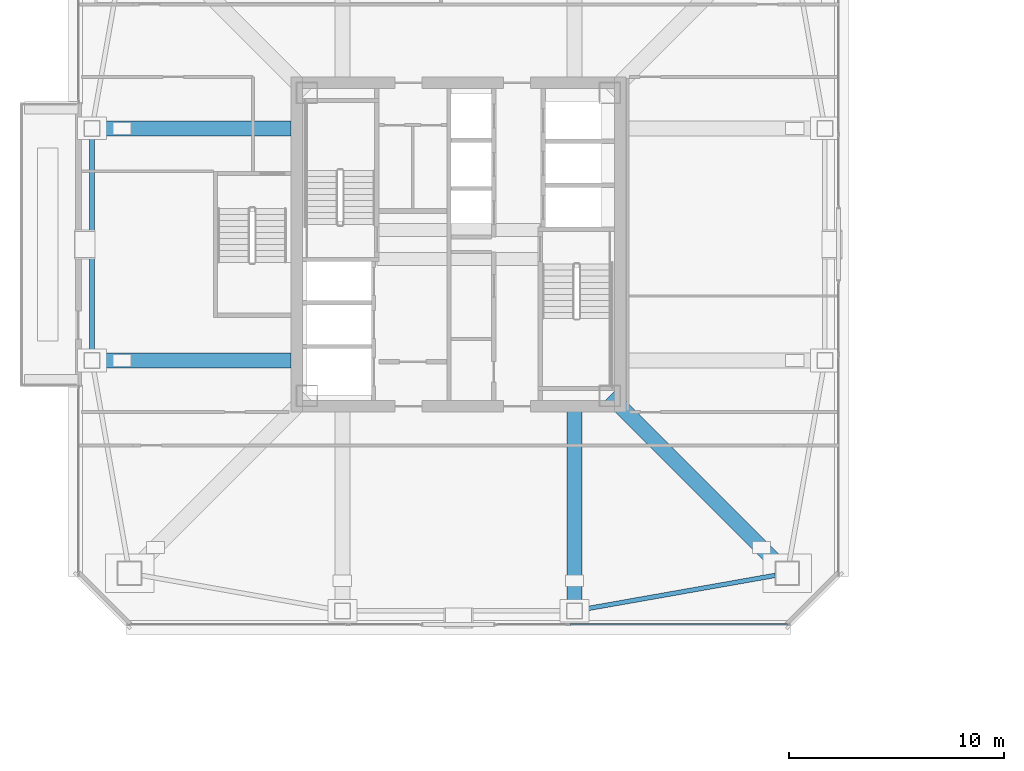
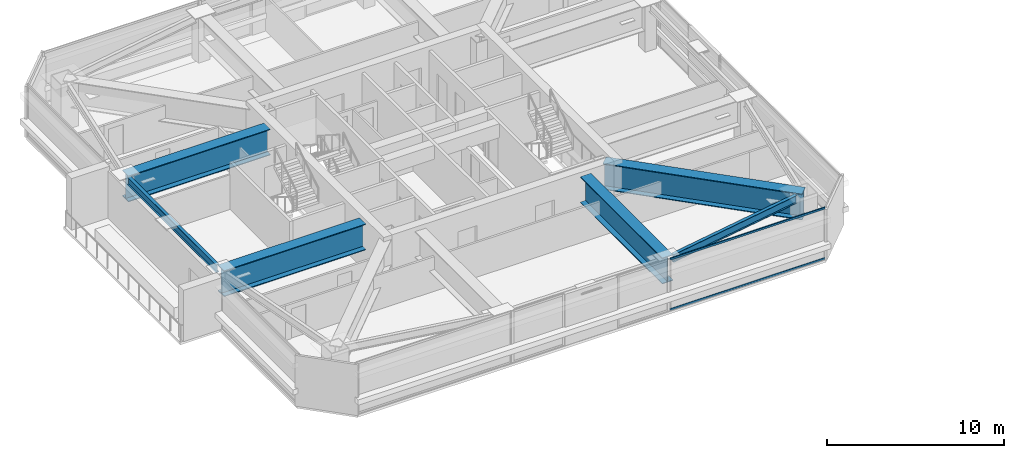
# One storey, part 6 of 42: 6 beams, 2 members, 1 element without a shape of its own.
"""IFC4 building model written with IfcOpenShell, lengths in metres."""

from ifc_helpers import new_model, si_unit, direction, frame, origin, origin_2d, place, context, subcontext, project, spatial, hollow_rectangle, i_section, extrude, material, material_profile, profile_set, type_object, element, aggregate, save


model = new_model("IFC4")

# Units and contexts
model_context = context("Model", 3, precision=1e-05, world=origin(), true_north=direction((0.0, 1.0)))
body_context = subcontext(model_context, "Body", "Model", "MODEL_VIEW")
ifc_project = project(units=[si_unit("LENGTHUNIT", "METRE"), si_unit("AREAUNIT", "SQUARE_METRE"), si_unit("VOLUMEUNIT", "CUBIC_METRE"), si_unit("PLANEANGLEUNIT", "RADIAN"), si_unit("MASSUNIT", "GRAM", prefix="KILO")], contexts=[model_context])

# Site, building, storey
site_placement = place(None, origin())
site = spatial("IfcSite", under=ifc_project, at=site_placement, CompositionType="ELEMENT")
building_placement = place(site_placement, origin())
building = spatial("IfcBuilding", under=site, at=building_placement, Name="Tashvorn Skyway Center", CompositionType="ELEMENT")
storey_placement = place(building_placement, frame((0.0, 0.0, 196.050048828125)))
storey = spatial("IfcBuildingStorey", under=building, at=storey_placement, Name="L53", CompositionType="ELEMENT", Elevation=196.050048828125)

# Beams
ifc_material_1 = material(Name="Steel ASTM A572 Grade 50", Category="steel")
ifc_material_profile_1 = material_profile(ifc_material_1, i_section(OverallWidth=0.699951171875, OverallDepth=1.800048828125, WebThickness=0.031982421875, FlangeThickness=0.050048828125, at=origin_2d()), Name="PG1800x700")
ifc_profile_set_1 = profile_set([ifc_material_profile_1], Name="Steel ASTM A572 Grade 50")
beam_type_1 = type_object("IfcBeamType", Name="BM-BEAM-PG1800x700", PredefinedType="BEAM", material=ifc_profile_set_1)
beam_1_placement = place(storey_placement, frame((57.300048828125, 16.699951171875, 2.349853515625), z_axis=(-0.707106781187, 0.707106781187, 0.0), x_axis=(-0.707106781187, -0.707106781187, 0.0)))
element("IfcBeam", 1, at=beam_1_placement, inside=storey, type_object=beam_type_1, Name="Tower 1 L53 Setback Transfer Girder MC-SE", PredefinedType="BEAM", context=body_context, shape_type="SweptSolid", body=[
    extrude(i_section(OverallWidth=0.699951171875, OverallDepth=1.800048828125, WebThickness=0.031982421875, FlangeThickness=0.050048828125, at=origin_2d()), origin(), (0.0, 0.0, 1.0), 11.667236328125),
])
for number, where, z_axis, x_axis, name in (
    (2, (47.39990234375, 14.949951171875, 2.349853515625), (0.0, 1.0, 0.0), (-1.0, 0.0, 0.0), "Tower 1 L53 Setback Transfer Girder FC-S2"),
    (3, (24.949951171875, 37.39990234375, 2.349853515625), (1.0, 0.0, 0.0), (0.0, 1.0, 0.0), "Tower 1 L53 Setback Transfer Girder FC-W1"),
    (4, (24.949951171875, 26.60009765625, 2.349853515625), (1.0, 0.0, 0.0), (0.0, 1.0, 0.0), "Tower 1 L53 Setback Transfer Girder FC-W2"),
):
    element("IfcBeam", number, at=place(storey_placement, frame(where, z_axis=z_axis, x_axis=x_axis)), inside=storey, type_object=beam_type_1, Name=name, PredefinedType="BEAM", context=body_context, shape_type="SweptSolid", body=[
        extrude(i_section(OverallWidth=0.699951171875, OverallDepth=1.800048828125, WebThickness=0.031982421875, FlangeThickness=0.050048828125, at=origin_2d()), origin(), (0.0, 0.0, 1.0), 9.27001953125),
    ])
ifc_material_2 = material(Name="Steel ASTM A992 Grade 50", Category="steel")
ifc_material_profile_2 = material_profile(ifc_material_2, i_section(OverallWidth=0.2109375, OverallDepth=0.5390625, WebThickness=0.01171875, FlangeThickness=0.018798828125, at=origin_2d()), Name="W21X73")
ifc_profile_set_2 = profile_set([ifc_material_profile_2], Name="Steel ASTM A992 Grade 50")
beam_type_2 = type_object("IfcBeamType", Name="BM-SPANDREL-W21X73", PredefinedType="SPANDREL", material=ifc_profile_set_2)
beam_2_placement = place(storey_placement, frame((47.764404296875, 15.014404296875, 2.98046875), z_axis=(0.984732545667, 0.174074160933, 0.0), x_axis=(-0.174074160933, 0.984732545667, 0.0)))
element("IfcBeam", 5, at=beam_2_placement, inside=storey, type_object=beam_type_2, Name="Tower 1 L53 Spandrel Beam 03", PredefinedType="SPANDREL", context=body_context, shape_type="SweptSolid", body=[
    extrude(i_section(OverallWidth=0.2109375, OverallDepth=0.5390625, WebThickness=0.01171875, FlangeThickness=0.018798828125, at=origin_2d()), origin(), (0.0, 0.0, 1.0), 9.113525390625),
])
beam_3_placement = place(storey_placement, frame((24.949951171875, 37.030029296875, 2.98046875), z_axis=(0.0, -1.0, 0.0), x_axis=(1.0, 0.0, 0.0)))
element("IfcBeam", 6, at=beam_3_placement, inside=storey, type_object=beam_type_2, Name="Tower 1 L53 Spandrel Beam 11", PredefinedType="SPANDREL", context=body_context, shape_type="SweptSolid", body=[
    extrude(i_section(OverallWidth=0.2109375, OverallDepth=0.5390625, WebThickness=0.01171875, FlangeThickness=0.018798828125, at=origin_2d()), origin(), (0.0, 0.0, 1.0), 10.06005859375),
])

# Curtain wall, members
ifc_material_3 = material(Name="Thermally broken bronze-anodized aluminium 6063-T6", Category="aluminium")
curtain_wall_type = type_object("IfcCurtainWallType", Name="CW-CW-Z4", PredefinedType="NOTDEFINED", material=ifc_material_3)
curtain_wall_placement = place(storey_placement, origin())
curtain_wall = element("IfcCurtainWall", 7, at=curtain_wall_placement, inside=storey, type_object=curtain_wall_type, Name="Tower 1 L53 South Unitised Curtain Wall Glazing Group 1", PredefinedType="NOTDEFINED")
ifc_material_profile_3 = material_profile(ifc_material_3, hollow_rectangle(XDim=0.070068359375, YDim=0.1298828125, WallThickness=0.00390625, at=origin_2d()), Name="ALU-TRAN-70x130")
ifc_profile_set_3 = profile_set([ifc_material_profile_3], Name="Thermally broken bronze-anodized aluminium 6063-T6")
member_type = type_object("IfcMemberType", Name="CWT-CW-Z4", PredefinedType="USERDEFINED", material=ifc_profile_set_3)
member_1_placement = place(storey_placement, frame((57.31005859375, 14.320068359375, 0.034912109375), z_axis=(-1.0, 0.0, 0.0), x_axis=(0.0, -1.0, 0.0)))
member_1 = element("IfcMember", 8, at=member_1_placement, type_object=member_type, Name="CW-Z4 transom 1.1", ObjectType="TRANSOM", PredefinedType="USERDEFINED", context=body_context, shape_type="SweptSolid", body=[
    extrude(hollow_rectangle(XDim=0.070068359375, YDim=0.1298828125, WallThickness=0.00390625, at=origin_2d()), origin(), (0.0, 0.0, 1.0), 10.11328125),
])
member_2_placement = place(storey_placement, frame((57.31005859375, 14.320068359375, 3.514892578125), z_axis=(-1.0, 0.0, 0.0), x_axis=(0.0, -1.0, 0.0)))
member_2 = element("IfcMember", 9, at=member_2_placement, type_object=member_type, Name="CW-Z4 transom 1.2", ObjectType="TRANSOM", PredefinedType="USERDEFINED", context=body_context, shape_type="SweptSolid", body=[
    extrude(hollow_rectangle(XDim=0.070068359375, YDim=0.1298828125, WallThickness=0.00390625, at=origin_2d()), origin(), (0.0, 0.0, 1.0), 10.11328125),
])
aggregate(curtain_wall, [member_1, member_2])

save(model, "model.ifc")
